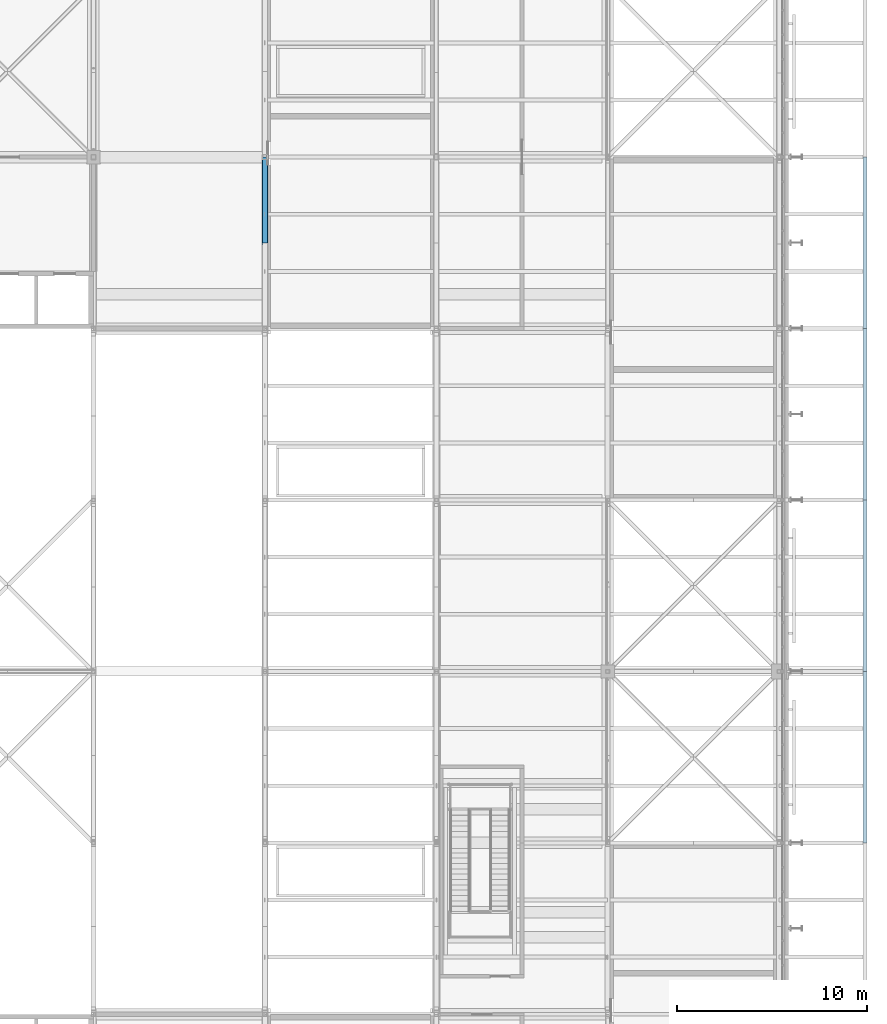
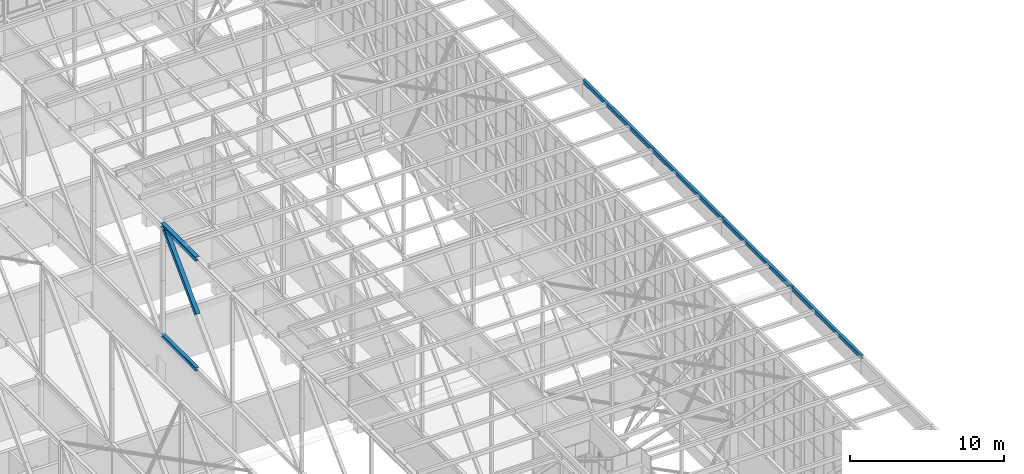
# One storey, part 104 of 646: 7 members.
"""IFC4 building model written with IfcOpenShell, lengths in metres."""

from ifc_helpers import new_model, si_unit, direction, frame, origin, origin_2d, place, context, subcontext, project, spatial, hollow_rectangle, i_section, extrude, material, material_profile, profile_set, type_object, element, save


model = new_model("IFC4")

# Units and contexts
model_context = context("Model", 3, precision=1e-05, world=origin(), true_north=direction((0.0, 1.0)))
body_context = subcontext(model_context, "Body", "Model", "MODEL_VIEW")
ifc_project = project(units=[si_unit("LENGTHUNIT", "METRE"), si_unit("AREAUNIT", "SQUARE_METRE"), si_unit("VOLUMEUNIT", "CUBIC_METRE"), si_unit("PLANEANGLEUNIT", "RADIAN"), si_unit("MASSUNIT", "GRAM", prefix="KILO")], contexts=[model_context])

# Site, building, storey
site_placement = place(None, origin())
site = spatial("IfcSite", under=ifc_project, at=site_placement, CompositionType="ELEMENT")
building_placement = place(site_placement, origin())
building = spatial("IfcBuilding", under=site, at=building_placement, Name="Silverbay Arena", CompositionType="ELEMENT")
storey_placement = place(building_placement, frame((0.0, 0.0, 33.5)))
storey = spatial("IfcBuildingStorey", under=building, at=storey_placement, Name="L05", CompositionType="ELEMENT", Elevation=33.5)

# Members
ifc_material_1 = material(Name="Steel S355", Category="steel")
ifc_material_profile_1 = material_profile(ifc_material_1, i_section(OverallWidth=0.254638671875, OverallDepth=0.254150390625, WebThickness=0.008544921875, FlangeThickness=0.01416015625, at=origin_2d()), Name="UC 254x254x73")
ifc_profile_set_1 = profile_set([ifc_material_profile_1], Name="Steel S355")
member_type_1 = type_object("IfcMemberType", Name="Long-span bottom chord UC 254x254x73", PredefinedType="CHORD", material=ifc_profile_set_1)
member_1_placement = place(storey_placement, frame((180.0, 103.5, 4.126953125), z_axis=(0.0, 1.0, 0.0), x_axis=(-1.0, 0.0, 0.0)))
element("IfcMember", 1, at=member_1_placement, inside=storey, type_object=member_type_1, Name="ROOF TRUSS 21 bottom chord 11b", PredefinedType="CHORD", context=body_context, shape_type="SweptSolid", body=[
    extrude(i_section(OverallWidth=0.254638671875, OverallDepth=0.254150390625, WebThickness=0.008544921875, FlangeThickness=0.01416015625, at=origin_2d()), origin(), (0.0, 0.0, 1.0), 4.5),
])
ifc_material_2 = material(Name="Steel S355", Category="steel")
ifc_material_profile_2 = material_profile(ifc_material_2, i_section(OverallWidth=0.307373046875, OverallDepth=0.314453125, WebThickness=0.011962890625, FlangeThickness=0.018798828125, at=origin_2d()), Name="UC 305x305x118")
ifc_profile_set_2 = profile_set([ifc_material_profile_2], Name="Steel S355")
member_type_2 = type_object("IfcMemberType", Name="Long-span top chord UC 305x305x118", PredefinedType="CHORD", material=ifc_profile_set_2)
member_2_placement = place(storey_placement, frame((180.0, 103.5, 12.8427734375), z_axis=(0.0, 1.0, 0.0), x_axis=(-1.0, 0.0, 0.0)))
element("IfcMember", 2, at=member_2_placement, inside=storey, type_object=member_type_2, Name="ROOF TRUSS 21 top chord 11b", PredefinedType="CHORD", context=body_context, shape_type="SweptSolid", body=[
    extrude(i_section(OverallWidth=0.307373046875, OverallDepth=0.314453125, WebThickness=0.011962890625, FlangeThickness=0.018798828125, at=origin_2d()), origin(), (0.0, 0.0, 1.0), 4.5),
])
ifc_material_3 = material(Name="Steel S355", Category="steel")
ifc_material_profile_3 = material_profile(ifc_material_3, hollow_rectangle(XDim=0.300048828125, YDim=0.300048828125, WallThickness=0.012451171875, at=origin_2d()), Name="SHS 300x300x12.5")
ifc_profile_set_3 = profile_set([ifc_material_profile_3], Name="Steel S355")
member_type_3 = type_object("IfcMemberType", Name="Long-span truss diagonal SHS 300x300x12.5", PredefinedType="BRACE", material=ifc_profile_set_3)
member_3_placement = place(storey_placement, frame((180.0, 107.655517578125, 12.685546875), z_axis=(0.0, -0.70264254283, -0.711543011353), x_axis=(1.0, 0.0, 0.0)))
element("IfcMember", 3, at=member_3_placement, inside=storey, type_object=member_type_3, Name="ROOF TRUSS 21 diagonal 11a", PredefinedType="BRACE", context=body_context, shape_type="SweptSolid", body=[
    extrude(hollow_rectangle(XDim=0.300048828125, YDim=0.300048828125, WallThickness=0.012451171875, at=origin_2d()), origin(), (0.0, 0.0, 1.0), 5.9248046875),
])
ifc_material_4 = material(Name="Steel S355", Category="steel")
ifc_material_profile_4 = material_profile(ifc_material_4, hollow_rectangle(XDim=0.199951171875, YDim=0.300048828125, WallThickness=0.008056640625, at=origin_2d()), Name="RHS 300x200x8")
ifc_profile_set_4 = profile_set([ifc_material_profile_4], Name="Steel S355")
member_type_4 = type_object("IfcMemberType", Name="Purlin RHS 300x200x8", PredefinedType="PURLIN", material=ifc_profile_set_4)
for number, where, z_axis, x_axis, name in (
    (4, (211.5, 72.0, 13.14990234375), (0.0, 1.0, 0.0), (-1.0, 0.0, 0.0), "ROOF PURLIN east eave edge 08"),
    (5, (211.5, 81.0, 13.14990234375), (0.0, 1.0, 0.0), (-1.0, 0.0, 0.0), "ROOF PURLIN east eave edge 09"),
    (6, (211.5, 90.0, 13.14990234375), (0.0, 1.0, 0.0), (-1.0, 0.0, 0.0), "ROOF PURLIN east eave edge 10"),
    (7, (211.5, 99.0, 13.14990234375), (0.0, 1.0, 0.0), (-1.0, 0.0, 0.0), "ROOF PURLIN east eave edge 11"),
):
    element("IfcMember", number, at=place(storey_placement, frame(where, z_axis=z_axis, x_axis=x_axis)), inside=storey, type_object=member_type_4, Name=name, PredefinedType="PURLIN", context=body_context, shape_type="SweptSolid", body=[
        extrude(hollow_rectangle(XDim=0.199951171875, YDim=0.300048828125, WallThickness=0.008056640625, at=origin_2d()), origin(), (0.0, 0.0, 1.0), 9.0),
    ])

save(model, "model.ifc")
